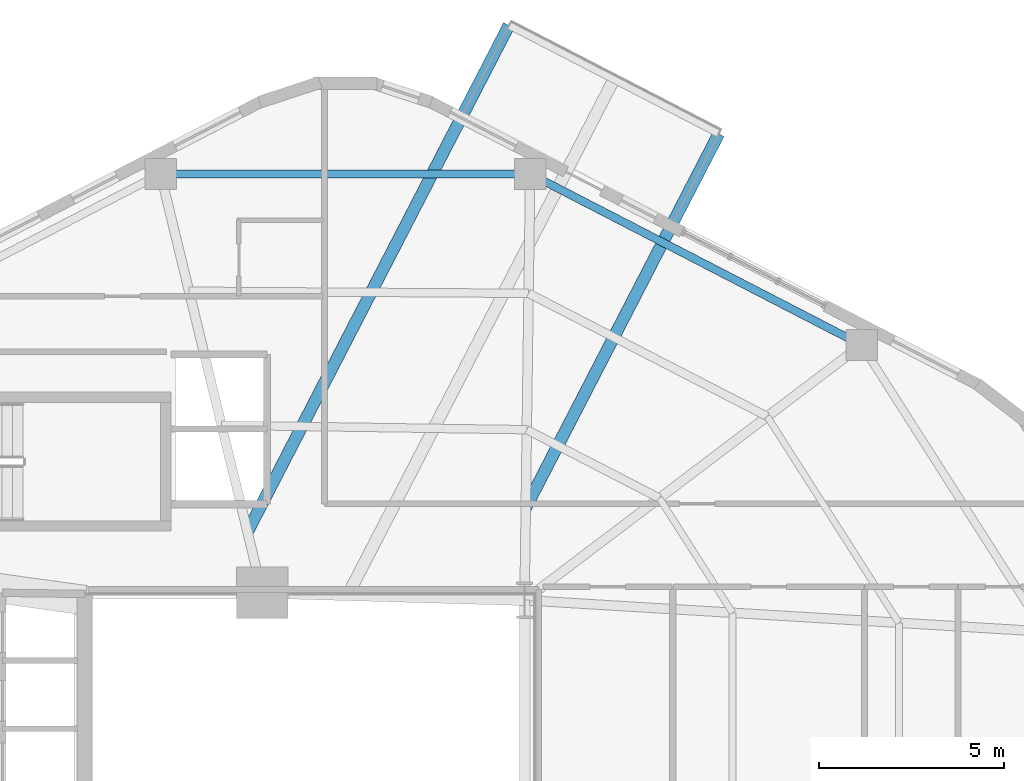
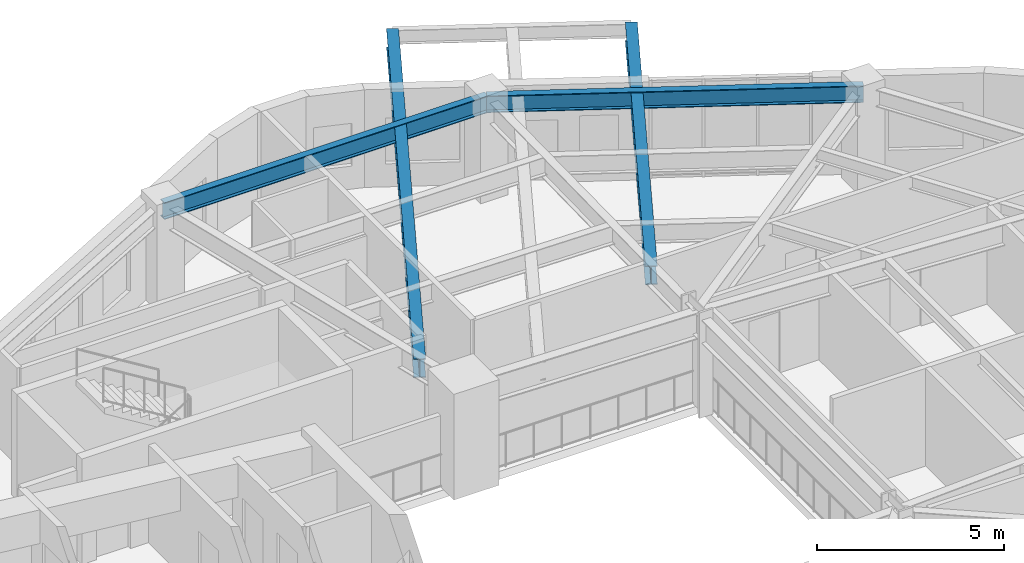
# One storey, part 2 of 11: 4 beams.
"""IFC4 building model written with IfcOpenShell, lengths in metres."""

from ifc_helpers import new_model, si_unit, direction, frame, origin, origin_2d, place, context, subcontext, project, spatial, i_section, extrude, material, material_profile, profile_set, type_object, element, save


model = new_model("IFC4")

# Units and contexts
model_context = context("Model", 3, precision=1e-05, world=origin(), true_north=direction((0.0, 1.0)))
body_context = subcontext(model_context, "Body", "Model", "MODEL_VIEW")
ifc_project = project(units=[si_unit("LENGTHUNIT", "METRE"), si_unit("AREAUNIT", "SQUARE_METRE"), si_unit("VOLUMEUNIT", "CUBIC_METRE"), si_unit("PLANEANGLEUNIT", "RADIAN"), si_unit("MASSUNIT", "GRAM", prefix="KILO"), si_unit("THERMODYNAMICTEMPERATUREUNIT", "KELVIN"), si_unit("POWERUNIT", "WATT")], contexts=[model_context])

# Site, building, storey
site_placement = place(None, origin())
site = spatial("IfcSite", under=ifc_project, at=site_placement, CompositionType="ELEMENT")
building_placement = place(site_placement, origin())
building = spatial("IfcBuilding", under=site, at=building_placement, Name="Skarre Station Tower", CompositionType="ELEMENT")
storey_placement = place(building_placement, frame((0.0, 0.0, 167.10009765625)))
storey = spatial("IfcBuildingStorey", under=building, at=storey_placement, Name="L45", CompositionType="ELEMENT", Elevation=167.10009765625)

# Beams
ifc_material = material(Name="Steel ASTM A992 Grade 50", Category="steel")
ifc_material_profile_1 = material_profile(ifc_material, i_section(OverallWidth=0.323974609375, OverallDepth=0.611083984375, WebThickness=0.012939453125, FlangeThickness=0.01904296875, at=origin_2d()), Name="Steel ASTM A992 Grade 50")
ifc_profile_set_1 = profile_set([ifc_material_profile_1], Name="Steel ASTM A992 Grade 50")
beam_type_1 = type_object("IfcBeamType", Name="Steel Beam W24X104", PredefinedType="BEAM", material=ifc_profile_set_1)
beam_1_placement = place(storey_placement, frame((31.949951171875, 31.198974609375, 2.77978515625), z_axis=(0.458607853228, 0.888638755039, 0.0), x_axis=(-0.888638755039, 0.458607853228, 0.0)))
element("IfcBeam", 1, at=beam_1_placement, inside=storey, type_object=beam_type_1, Name="L45 SG-2-L46 Outrigger Beam 1", PredefinedType="BEAM", context=body_context, shape_type="SweptSolid", body=[
    extrude(i_section(OverallWidth=0.323974609375, OverallDepth=0.611083984375, WebThickness=0.012939453125, FlangeThickness=0.01904296875, at=origin_2d()), origin(), (0.0, 0.0, 1.0), 15.42919921875),
])
beam_2_placement = place(storey_placement, frame((39.48291015625, 31.85205078125, 2.77978515625), z_axis=(0.45859379578, 0.888646009653, 0.0), x_axis=(-0.888646009653, 0.45859379578, 0.0)))
element("IfcBeam", 2, at=beam_2_placement, inside=storey, type_object=beam_type_1, Name="L45 SG-2-L46 Outrigger Beam 2", PredefinedType="BEAM", context=body_context, shape_type="SweptSolid", body=[
    extrude(i_section(OverallWidth=0.323974609375, OverallDepth=0.611083984375, WebThickness=0.012939453125, FlangeThickness=0.01904296875, at=origin_2d()), origin(), (0.0, 0.0, 1.0), 11.393798828125),
])
ifc_material_profile_2 = material_profile(ifc_material, i_section(OverallWidth=0.214111328125, OverallDepth=0.549072265625, WebThickness=0.014892578125, FlangeThickness=0.02392578125, at=origin_2d()), Name="Steel ASTM A992 Grade 50")
ifc_profile_set_2 = profile_set([ifc_material_profile_2], Name="Steel ASTM A992 Grade 50")
beam_type_2 = type_object("IfcBeamType", Name="Steel Spandrel W21X93", PredefinedType="SPANDREL", material=ifc_profile_set_2)
beam_3_placement = place(storey_placement, frame((48.573974609375, 36.257080078125, 2.916015625), z_axis=(-0.888613027226, 0.458657702262, 0.0), x_axis=(-0.458657702262, -0.888613027226, 0.0)))
element("IfcBeam", 3, at=beam_3_placement, inside=storey, type_object=beam_type_2, Name="L45 Facet Spandrel Beam 1", PredefinedType="SPANDREL", context=body_context, shape_type="SweptSolid", body=[
    extrude(i_section(OverallWidth=0.214111328125, OverallDepth=0.549072265625, WebThickness=0.014892578125, FlangeThickness=0.02392578125, at=origin_2d()), origin(), (0.0, 0.0, 1.0), 10.096435546875),
])
beam_4_placement = place(storey_placement, frame((39.60205078125, 40.887939453125, 2.916015625), z_axis=(-1.0, 0.0, 0.0), x_axis=(0.0, -1.0, 0.0)))
element("IfcBeam", 4, at=beam_4_placement, inside=storey, type_object=beam_type_2, Name="L45 Facet Spandrel Beam 2", PredefinedType="SPANDREL", context=body_context, shape_type="SweptSolid", body=[
    extrude(i_section(OverallWidth=0.214111328125, OverallDepth=0.549072265625, WebThickness=0.014892578125, FlangeThickness=0.02392578125, at=origin_2d()), origin(), (0.0, 0.0, 1.0), 10.004150390625),
])

save(model, "model.ifc")
